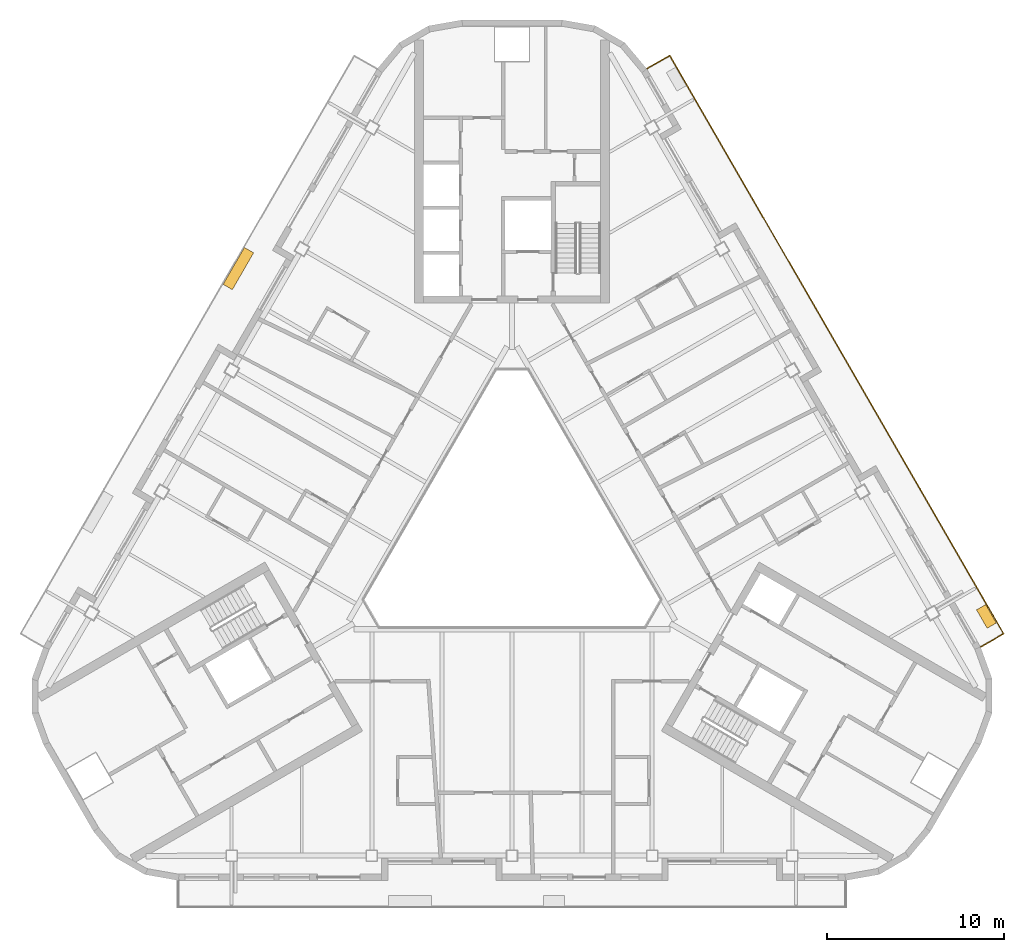
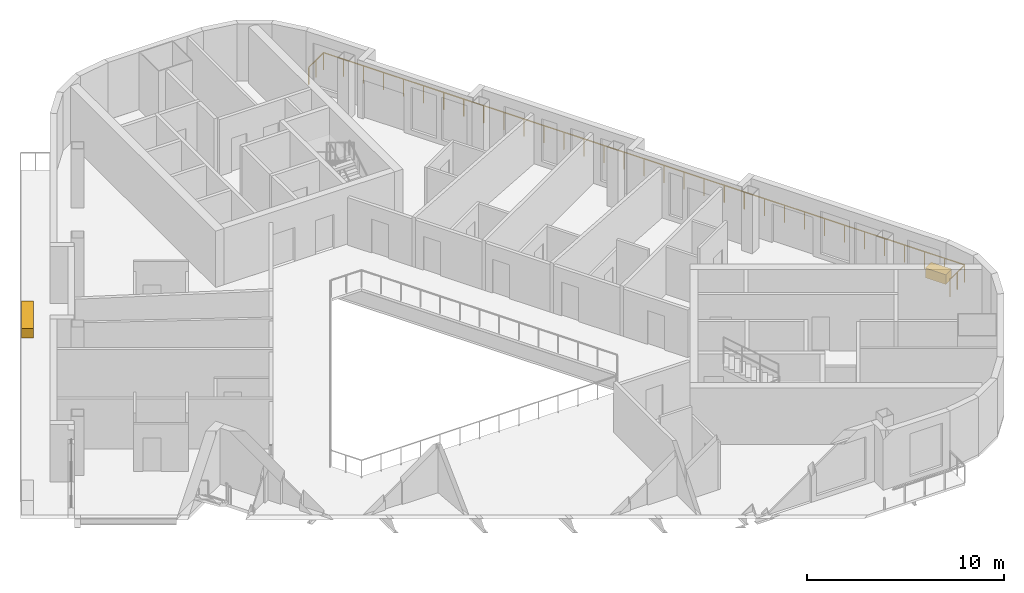
# One storey, part 13 of 14: 2 coverings, 1 railing.
"""IFC4 building model written with IfcOpenShell, lengths in metres."""

from ifc_helpers import new_model, si_unit, direction, frame, origin, origin_2d, place, context, subcontext, project, spatial, rectangle, extrude, material, type_object, element, save


model = new_model("IFC4")

# Units and contexts
model_context = context("Model", 3, precision=1e-05, world=origin(), true_north=direction((0.0, 1.0)))
body_context = subcontext(model_context, "Body", "Model", "MODEL_VIEW")
ifc_project = project(units=[si_unit("LENGTHUNIT", "METRE"), si_unit("AREAUNIT", "SQUARE_METRE"), si_unit("VOLUMEUNIT", "CUBIC_METRE"), si_unit("PLANEANGLEUNIT", "RADIAN"), si_unit("MASSUNIT", "GRAM", prefix="KILO")], contexts=[model_context])

# Site, building, storey
site_placement = place(None, origin())
site = spatial("IfcSite", under=ifc_project, at=site_placement, CompositionType="ELEMENT")
building_placement = place(site_placement, origin())
building = spatial("IfcBuilding", under=site, at=building_placement, Name="Apuvela Tower Hotel", CompositionType="ELEMENT")
storey_placement = place(building_placement, frame((0.0, 0.0, 250.39990234375)))
storey = spatial("IfcBuildingStorey", under=building, at=storey_placement, Name="L61", CompositionType="ELEMENT", Elevation=250.39990234375)

# Railing
ifc_material_1 = material(Name="Stainless steel 316 rail with laminated glass infill", Category="steel")
railing_type = type_object("IfcRailingType", Name="ENV-GUARD-1100", PredefinedType="GUARDRAIL", material=ifc_material_1)
railing_placement = place(storey_placement, frame((26.407958984375, -6.47998046875, 0.0)))
element("IfcRailing", 1, at=railing_placement, inside=storey, type_object=railing_type, Name="Balcony guard NE L61", PredefinedType="GUARDRAIL", context=body_context, shape_type="SweptSolid", body=[
    extrude(rectangle(XDim=0.050048828125, YDim=0.050048828125, at=origin_2d()), frame((0.0, 0.0, 1.0751953125), z_axis=(0.866031096941, 0.499990139034, 0.0), x_axis=(-0.499990139034, 0.866031096941, 0.0)), (0.0, 0.0, 1.0), 1.5),
    extrude(rectangle(XDim=0.050048828125, YDim=0.050048828125, at=origin_2d()), frame((1.299072265625, 0.75, 1.0751953125), z_axis=(-0.500000437506, 0.86602515119, 0.0), x_axis=(-0.86602515119, -0.500000437506, 0.0)), (0.0, 0.0, 1.0), 37.6318359375),
    extrude(rectangle(XDim=0.050048828125, YDim=0.050048828125, at=origin_2d()), frame((-17.516845703125, 33.340087890625, 1.0751953125), z_axis=(-0.86599040064, -0.500060622324, 0.0), x_axis=(0.500060622324, -0.86599040064, 0.0)), (0.0, 0.0, 1.0), 1.499755859375),
    extrude(rectangle(XDim=0.0400390625, YDim=0.0400390625, at=origin_2d()), origin(), (0.0, 0.0, 1.0), 1.050048828125),
    extrude(rectangle(XDim=0.0400390625, YDim=0.0400390625, at=origin_2d()), frame((0.6494140625, 0.375, 0.0)), (0.0, 0.0, 1.0), 1.050048828125),
    extrude(rectangle(XDim=0.0400390625, YDim=0.0400390625, at=origin_2d()), frame((1.299072265625, 0.75, 0.0)), (0.0, 0.0, 1.0), 1.050048828125),
    extrude(rectangle(XDim=0.0400390625, YDim=0.0400390625, at=origin_2d()), frame((0.711181640625, 1.7685546875, 0.0)), (0.0, 0.0, 1.0), 1.050048828125),
    extrude(rectangle(XDim=0.0400390625, YDim=0.0400390625, at=origin_2d()), frame((0.123046875, 2.786865234375, 0.0)), (0.0, 0.0, 1.0), 1.050048828125),
    extrude(rectangle(XDim=0.0400390625, YDim=0.0400390625, at=origin_2d()), frame((-0.46484375, 3.805419921875, 0.0)), (0.0, 0.0, 1.0), 1.050048828125),
    extrude(rectangle(XDim=0.0400390625, YDim=0.0400390625, at=origin_2d()), frame((-1.052978515625, 4.82373046875, 0.0)), (0.0, 0.0, 1.0), 1.050048828125),
    extrude(rectangle(XDim=0.0400390625, YDim=0.0400390625, at=origin_2d()), frame((-1.640869140625, 5.84228515625, 0.0)), (0.0, 0.0, 1.0), 1.050048828125),
    extrude(rectangle(XDim=0.0400390625, YDim=0.0400390625, at=origin_2d()), frame((-2.22900390625, 6.860595703125, 0.0)), (0.0, 0.0, 1.0), 1.050048828125),
    extrude(rectangle(XDim=0.0400390625, YDim=0.0400390625, at=origin_2d()), frame((-2.81689453125, 7.879150390625, 0.0)), (0.0, 0.0, 1.0), 1.050048828125),
    extrude(rectangle(XDim=0.0400390625, YDim=0.0400390625, at=origin_2d()), frame((-3.40478515625, 8.8974609375, 0.0)), (0.0, 0.0, 1.0), 1.050048828125),
    extrude(rectangle(XDim=0.0400390625, YDim=0.0400390625, at=origin_2d()), frame((-3.992919921875, 9.916015625, 0.0)), (0.0, 0.0, 1.0), 1.050048828125),
    extrude(rectangle(XDim=0.0400390625, YDim=0.0400390625, at=origin_2d()), frame((-4.580810546875, 10.934326171875, 0.0)), (0.0, 0.0, 1.0), 1.050048828125),
    extrude(rectangle(XDim=0.0400390625, YDim=0.0400390625, at=origin_2d()), frame((-5.1689453125, 11.952880859375, 0.0)), (0.0, 0.0, 1.0), 1.050048828125),
    extrude(rectangle(XDim=0.0400390625, YDim=0.0400390625, at=origin_2d()), frame((-5.7568359375, 12.97119140625, 0.0)), (0.0, 0.0, 1.0), 1.050048828125),
    extrude(rectangle(XDim=0.0400390625, YDim=0.0400390625, at=origin_2d()), frame((-6.344970703125, 13.98974609375, 0.0)), (0.0, 0.0, 1.0), 1.050048828125),
    extrude(rectangle(XDim=0.0400390625, YDim=0.0400390625, at=origin_2d()), frame((-6.932861328125, 15.008056640625, 0.0)), (0.0, 0.0, 1.0), 1.050048828125),
    extrude(rectangle(XDim=0.0400390625, YDim=0.0400390625, at=origin_2d()), frame((-7.52099609375, 16.026611328125, 0.0)), (0.0, 0.0, 1.0), 1.050048828125),
    extrude(rectangle(XDim=0.0400390625, YDim=0.0400390625, at=origin_2d()), frame((-8.10888671875, 17.044921875, 0.0)), (0.0, 0.0, 1.0), 1.050048828125),
    extrude(rectangle(XDim=0.0400390625, YDim=0.0400390625, at=origin_2d()), frame((-8.69677734375, 18.0634765625, 0.0)), (0.0, 0.0, 1.0), 1.050048828125),
    extrude(rectangle(XDim=0.0400390625, YDim=0.0400390625, at=origin_2d()), frame((-9.284912109375, 19.08203125, 0.0)), (0.0, 0.0, 1.0), 1.050048828125),
    extrude(rectangle(XDim=0.0400390625, YDim=0.0400390625, at=origin_2d()), frame((-9.872802734375, 20.100341796875, 0.0)), (0.0, 0.0, 1.0), 1.050048828125),
    extrude(rectangle(XDim=0.0400390625, YDim=0.0400390625, at=origin_2d()), frame((-10.4609375, 21.118896484375, 0.0)), (0.0, 0.0, 1.0), 1.050048828125),
    extrude(rectangle(XDim=0.0400390625, YDim=0.0400390625, at=origin_2d()), frame((-11.048828125, 22.13720703125, 0.0)), (0.0, 0.0, 1.0), 1.050048828125),
    extrude(rectangle(XDim=0.0400390625, YDim=0.0400390625, at=origin_2d()), frame((-11.636962890625, 23.15576171875, 0.0)), (0.0, 0.0, 1.0), 1.050048828125),
    extrude(rectangle(XDim=0.0400390625, YDim=0.0400390625, at=origin_2d()), frame((-12.224853515625, 24.174072265625, 0.0)), (0.0, 0.0, 1.0), 1.050048828125),
    extrude(rectangle(XDim=0.0400390625, YDim=0.0400390625, at=origin_2d()), frame((-12.81298828125, 25.192626953125, 0.0)), (0.0, 0.0, 1.0), 1.050048828125),
    extrude(rectangle(XDim=0.0400390625, YDim=0.0400390625, at=origin_2d()), frame((-13.40087890625, 26.2109375, 0.0)), (0.0, 0.0, 1.0), 1.050048828125),
    extrude(rectangle(XDim=0.0400390625, YDim=0.0400390625, at=origin_2d()), frame((-13.98876953125, 27.2294921875, 0.0)), (0.0, 0.0, 1.0), 1.050048828125),
    extrude(rectangle(XDim=0.0400390625, YDim=0.0400390625, at=origin_2d()), frame((-14.576904296875, 28.247802734375, 0.0)), (0.0, 0.0, 1.0), 1.050048828125),
    extrude(rectangle(XDim=0.0400390625, YDim=0.0400390625, at=origin_2d()), frame((-15.164794921875, 29.266357421875, 0.0)), (0.0, 0.0, 1.0), 1.050048828125),
    extrude(rectangle(XDim=0.0400390625, YDim=0.0400390625, at=origin_2d()), frame((-15.7529296875, 30.28466796875, 0.0)), (0.0, 0.0, 1.0), 1.050048828125),
    extrude(rectangle(XDim=0.0400390625, YDim=0.0400390625, at=origin_2d()), frame((-16.3408203125, 31.30322265625, 0.0)), (0.0, 0.0, 1.0), 1.050048828125),
    extrude(rectangle(XDim=0.0400390625, YDim=0.0400390625, at=origin_2d()), frame((-16.928955078125, 32.321533203125, 0.0)), (0.0, 0.0, 1.0), 1.050048828125),
    extrude(rectangle(XDim=0.0400390625, YDim=0.0400390625, at=origin_2d()), frame((-17.516845703125, 33.340087890625, 0.0)), (0.0, 0.0, 1.0), 1.050048828125),
    extrude(rectangle(XDim=0.0400390625, YDim=0.0400390625, at=origin_2d()), frame((-18.166259765625, 32.965087890625, 0.0)), (0.0, 0.0, 1.0), 1.050048828125),
    extrude(rectangle(XDim=0.0400390625, YDim=0.0400390625, at=origin_2d()), frame((-18.815673828125, 32.590087890625, 0.0)), (0.0, 0.0, 1.0), 1.050048828125),
])

# Coverings
ifc_material_2 = material(Name="Planting substrate and soil, planted")
covering_type_1 = type_object("IfcCoveringType", Name="ENV-PLANTER-1200x600", PredefinedType="USERDEFINED", material=ifc_material_2)
covering_1_placement = place(storey_placement, frame((26.739013671875, -4.753173828125, 0.0), z_axis=(0.0, 0.0, 1.0), x_axis=(-0.5, 0.866025403784, 0.0)))
element("IfcCovering", 2, at=covering_1_placement, inside=storey, type_object=covering_type_1, Name="Planter NE3", ObjectType="PLANTER", PredefinedType="USERDEFINED", context=body_context, shape_type="SweptSolid", body=[
    extrude(rectangle(XDim=1.199951171875, YDim=0.60009765625, at=origin_2d()), origin(), (0.0, 0.0, 1.0), 0.60009765625),
])
covering_type_2 = type_object("IfcCoveringType", Name="ENV-PLANTER-2400x600", PredefinedType="USERDEFINED", material=ifc_material_2)
covering_2_placement = place(storey_placement, frame((-15.4208984375, 14.85009765625, 0.0), z_axis=(0.0, 0.0, 1.0), x_axis=(-0.5, -0.866025403784, 0.0)))
element("IfcCovering", 3, at=covering_2_placement, inside=storey, type_object=covering_type_2, Name="Planter NW5", ObjectType="PLANTER", PredefinedType="USERDEFINED", context=body_context, shape_type="SweptSolid", body=[
    extrude(rectangle(XDim=2.39990234375, YDim=0.60009765625, at=origin_2d()), origin(), (0.0, 0.0, 1.0), 0.60009765625),
])

save(model, "model.ifc")
